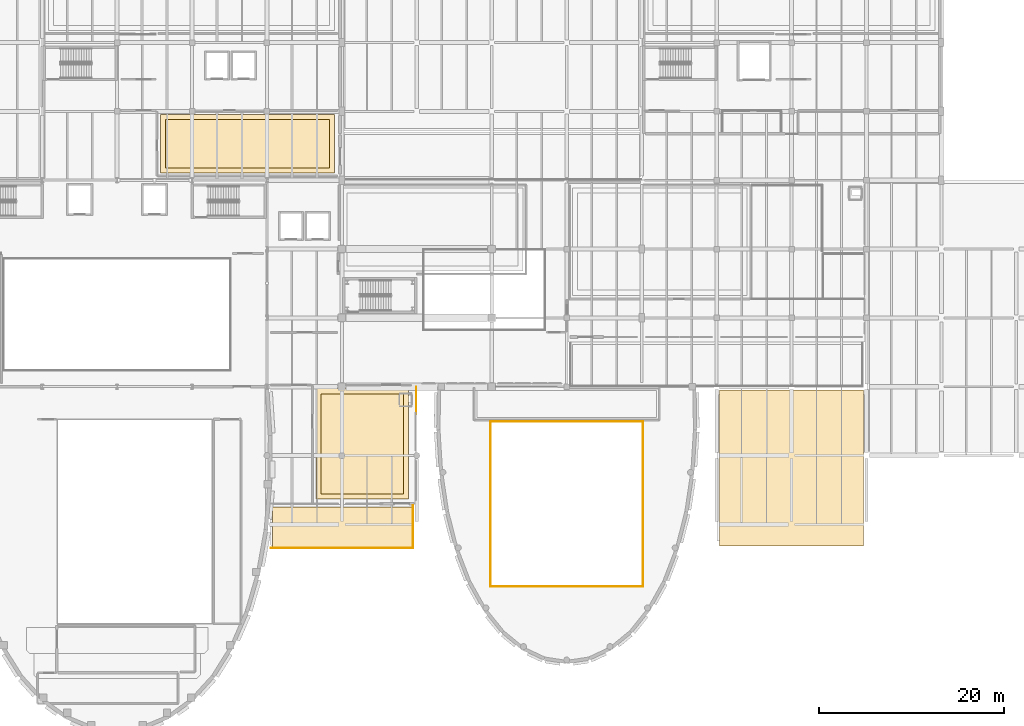
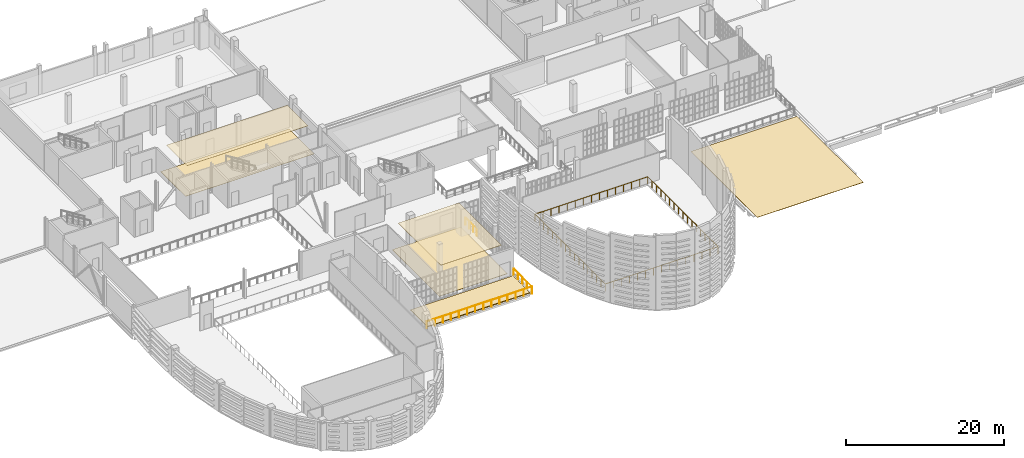
# One storey, part 67 of 73: 6 coverings, 5 railings.
"""IFC4 building model written with IfcOpenShell, lengths in metres."""

from ifc_helpers import new_model, si_unit, direction, frame, origin, origin_2d, place, context, subcontext, project, spatial, polyline, circle, outline, extrude, material, layer, layer_set, type_object, element, save


model = new_model("IFC4")

# Units and contexts
model_context = context("Model", 3, precision=1e-05, world=origin(), true_north=direction((0.0, 1.0)))
body_context = subcontext(model_context, "Body", "Model", "MODEL_VIEW")
ifc_project = project(units=[si_unit("LENGTHUNIT", "METRE"), si_unit("AREAUNIT", "SQUARE_METRE"), si_unit("VOLUMEUNIT", "CUBIC_METRE"), si_unit("PLANEANGLEUNIT", "RADIAN"), si_unit("MASSUNIT", "GRAM", prefix="KILO")], contexts=[model_context])

# Site, building, storey
site_placement = place(None, origin())
site = spatial("IfcSite", under=ifc_project, at=site_placement, CompositionType="ELEMENT")
building_placement = place(site_placement, origin())
building = spatial("IfcBuilding", under=site, at=building_placement, Name="Kaelora Sail Theatre", CompositionType="ELEMENT")
storey_placement = place(building_placement, frame((0.0, 0.0, 10.199951171875)))
storey = spatial("IfcBuildingStorey", under=building, at=storey_placement, Name="L02", CompositionType="ELEMENT", Elevation=10.199951171875)

# Coverings
ifc_material_1 = material(Name="Micro-perforated timber acoustic reflector", Category="wood")
ifc_layer_1 = layer(ifc_material_1, 0.050048828125)
ifc_layer_set_1 = layer_set([ifc_layer_1], Name="Micro-perforated timber acoustic reflector")
covering_type_1 = type_object("IfcCoveringType", Name="ARC-COV-CLG-AC-50", PredefinedType="CEILING", material=ifc_layer_set_1)
covering_1_placement = place(storey_placement, frame((0.0, 0.0, 4.255126953125)))
element("IfcCovering", 1, at=covering_1_placement, inside=storey, type_object=covering_type_1, Name="Acoustic ceiling L02-FOY-INTER1", PredefinedType="CEILING", context=body_context, shape_type="SweptSolid", body=[
    extrude(outline(polyline([(64.050048828125, 49.449951171875), (72.949951171875, 49.449951171875), (72.949951171875, 60.25), (64.050048828125, 60.25), (64.050048828125, 49.449951171875)])), origin(), (0.0, 0.0, 1.0), 0.0498046875),
])
covering_2_placement = place(storey_placement, frame((0.0, 0.0, 4.199951171875)))
element("IfcCovering", 2, at=covering_2_placement, inside=storey, type_object=covering_type_1, Name="Acoustic ceiling L02-DRAMA-S", PredefinedType="CEILING", context=body_context, shape_type="SweptSolid", body=[
    extrude(outline(polyline([(47.25, 84.64990234375), (64.949951171875, 84.64990234375), (64.949951171875, 89.89990234375), (47.25, 89.89990234375), (47.25, 84.64990234375)])), origin(), (0.0, 0.0, 1.0), 0.050048828125),
])
ifc_material_2 = material(Name="Sprung West African iroko stage and dance floor", Category="timber")
ifc_layer_2 = layer(ifc_material_2, 0.028076171875)
ifc_layer_set_2 = layer_set([ifc_layer_2], Name="Sprung West African iroko stage and dance floor")
covering_type_2 = type_object("IfcCoveringType", Name="ARC-COV-FLR-OAK-28", PredefinedType="FLOORING", material=ifc_layer_set_2)
covering_3_placement = place(storey_placement, origin())
element("IfcCovering", 3, at=covering_3_placement, inside=storey, type_object=covering_type_2, Name="Architectural flooring L02-DRAMA-S", PredefinedType="FLOORING", context=body_context, shape_type="SweptSolid", body=[
    extrude(outline(polyline([(46.699951171875, 84.10009765625), (65.5, 84.10009765625), (65.5, 90.449951171875), (46.699951171875, 90.449951171875), (46.699951171875, 84.10009765625)])), origin(), (0.0, 0.0, 1.0), 0.028076171875),
])
ifc_material_3 = material(Name="Polished basalt-terrazzo foyer flooring", Category="masonry")
ifc_layer_3 = layer(ifc_material_3, 0.031982421875)
ifc_layer_set_3 = layer_set([ifc_layer_3], Name="Polished basalt-terrazzo foyer flooring")
covering_type_3 = type_object("IfcCoveringType", Name="ARC-COV-FLR-TRZ-32", PredefinedType="FLOORING", material=ifc_layer_set_3)
covering_4_placement = place(storey_placement, origin())
element("IfcCovering", 4, at=covering_4_placement, inside=storey, type_object=covering_type_3, Name="Architectural flooring L02-FOY-INTER1", PredefinedType="FLOORING", context=body_context, shape_type="SweptSolid", body=[
    extrude(outline(polyline([(63.5, 48.89990234375), (73.5, 48.89990234375), (73.5, 60.800048828125), (63.5, 60.800048828125), (63.5, 48.89990234375)])), origin(), (0.0, 0.0, 1.0), 0.031982421875),
])
ifc_material_4 = material(Name="Planted roof garden and green foliage terrace bed", Category="earth")
ifc_layer_4 = layer(ifc_material_4, 0.1201171875)
ifc_layer_set_4 = layer_set([ifc_layer_4], Name="Planted roof garden and green foliage terrace bed")
covering_type_4 = type_object("IfcCoveringType", Name="ARC-COV-GRN", PredefinedType="ROOFING", material=ifc_layer_set_4)
covering_5_placement = place(storey_placement, origin())
element("IfcCovering", 5, at=covering_5_placement, inside=storey, type_object=covering_type_4, Name="Second Step Central Foyer Planted Podium Terrace Planted Garden Bed", PredefinedType="ROOFING", context=body_context, shape_type="SweptSolid", body=[
    extrude(outline(polyline([(58.800048828125, 43.75), (73.800048828125, 43.75), (73.800048828125, 48.030029296875), (58.800048828125, 48.030029296875), (58.800048828125, 43.75)])), origin(), (0.0, 0.0, 1.0), 0.1201171875),
])
ifc_material_5 = material(Name="Standing-seam titanium-zinc and TPO membrane", Category="metal")
ifc_layer_5 = layer(ifc_material_5, 0.044921875)
ifc_layer_set_5 = layer_set([ifc_layer_5], Name="Standing-seam titanium-zinc and TPO membrane")
covering_type_5 = type_object("IfcCoveringType", Name="ARC-COV-RFM", PredefinedType="ROOFING", material=ifc_layer_set_5)
covering_6_placement = place(storey_placement, origin())
element("IfcCovering", 6, at=covering_6_placement, inside=storey, type_object=covering_type_5, Name="Standing-seam titanium-zinc roofing FIE", PredefinedType="ROOFING", context=body_context, shape_type="SweptSolid", body=[
    extrude(outline(polyline([(107.1298828125, 43.820068359375), (122.669921875, 43.820068359375), (122.669921875, 60.64990234375), (107.1298828125, 60.64990234375), (107.1298828125, 43.820068359375)])), origin(), (0.0, 0.0, 1.0), 0.045166015625),
])

# Railings
ifc_material_6 = material(Name="Acoustic bronze and laminated glass balcony balustrade", Category="glass")
railing_type_1 = type_object("IfcRailingType", Name="ARC-RL-BAL", PredefinedType="BALUSTRADE", material=ifc_material_6)
railing_1_placement = place(storey_placement, frame((82.340087890625, 48.300048828125, 0.0)))
element("IfcRailing", 7, at=railing_1_placement, inside=storey, type_object=railing_type_1, Name="Interior void balustrade AUD-S2 south", PredefinedType="BALUSTRADE", context=body_context, shape_type="SweptSolid", body=[
    extrude(circle(Radius=0.02392578125, at=origin_2d()), frame((0.0, 0.0, 1.076171875), z_axis=(0.0, -1.0, 0.0), x_axis=(1.0, 0.0, 0.0)), (0.0, 0.0, 1.0), 8.860107421875),
    extrude(circle(Radius=0.02392578125, at=origin_2d()), frame((0.0, -8.860107421875, 1.076171875), z_axis=(1.0, 0.0, 0.0), x_axis=(0.0, 1.0, 0.0)), (0.0, 0.0, 1.0), 16.52001953125),
    extrude(circle(Radius=0.02392578125, at=origin_2d()), frame((16.52001953125, -8.860107421875, 1.076171875), z_axis=(0.0, 1.0, 0.0), x_axis=(-1.0, 0.0, 0.0)), (0.0, 0.0, 1.0), 8.860107421875),
    extrude(circle(Radius=0.02099609375, at=origin_2d()), origin(), (0.0, 0.0, 1.0), 1.052001953125),
    extrude(circle(Radius=0.02099609375, at=origin_2d()), frame((0.0, -1.107421875, 0.0)), (0.0, 0.0, 1.0), 1.052001953125),
    extrude(circle(Radius=0.02099609375, at=origin_2d()), frame((0.0, -2.215087890625, 0.0)), (0.0, 0.0, 1.0), 1.052001953125),
    extrude(circle(Radius=0.02099609375, at=origin_2d()), frame((0.0, -3.322509765625, 0.0)), (0.0, 0.0, 1.0), 1.052001953125),
    extrude(circle(Radius=0.02099609375, at=origin_2d()), frame((0.0, -4.43017578125, 0.0)), (0.0, 0.0, 1.0), 1.052001953125),
    extrude(circle(Radius=0.02099609375, at=origin_2d()), frame((0.0, -5.53759765625, 0.0)), (0.0, 0.0, 1.0), 1.052001953125),
    extrude(circle(Radius=0.02099609375, at=origin_2d()), frame((0.0, -6.64501953125, 0.0)), (0.0, 0.0, 1.0), 1.052001953125),
    extrude(circle(Radius=0.02099609375, at=origin_2d()), frame((0.0, -7.752685546875, 0.0)), (0.0, 0.0, 1.0), 1.052001953125),
    extrude(circle(Radius=0.02099609375, at=origin_2d()), frame((0.0, -8.860107421875, 0.0)), (0.0, 0.0, 1.0), 1.052001953125),
    extrude(circle(Radius=0.02099609375, at=origin_2d()), frame((1.179931640625, -8.860107421875, 0.0)), (0.0, 0.0, 1.0), 1.052001953125),
    extrude(circle(Radius=0.02099609375, at=origin_2d()), frame((2.360107421875, -8.860107421875, 0.0)), (0.0, 0.0, 1.0), 1.052001953125),
    extrude(circle(Radius=0.02099609375, at=origin_2d()), frame((3.5400390625, -8.860107421875, 0.0)), (0.0, 0.0, 1.0), 1.052001953125),
    extrude(circle(Radius=0.02099609375, at=origin_2d()), frame((4.719970703125, -8.860107421875, 0.0)), (0.0, 0.0, 1.0), 1.052001953125),
    extrude(circle(Radius=0.02099609375, at=origin_2d()), frame((5.89990234375, -8.860107421875, 0.0)), (0.0, 0.0, 1.0), 1.052001953125),
    extrude(circle(Radius=0.02099609375, at=origin_2d()), frame((7.080078125, -8.860107421875, 0.0)), (0.0, 0.0, 1.0), 1.052001953125),
    extrude(circle(Radius=0.02099609375, at=origin_2d()), frame((8.260009765625, -8.860107421875, 0.0)), (0.0, 0.0, 1.0), 1.052001953125),
    extrude(circle(Radius=0.02099609375, at=origin_2d()), frame((9.43994140625, -8.860107421875, 0.0)), (0.0, 0.0, 1.0), 1.052001953125),
    extrude(circle(Radius=0.02099609375, at=origin_2d()), frame((10.6201171875, -8.860107421875, 0.0)), (0.0, 0.0, 1.0), 1.052001953125),
    extrude(circle(Radius=0.02099609375, at=origin_2d()), frame((11.800048828125, -8.860107421875, 0.0)), (0.0, 0.0, 1.0), 1.052001953125),
    extrude(circle(Radius=0.02099609375, at=origin_2d()), frame((12.97998046875, -8.860107421875, 0.0)), (0.0, 0.0, 1.0), 1.052001953125),
    extrude(circle(Radius=0.02099609375, at=origin_2d()), frame((14.159912109375, -8.860107421875, 0.0)), (0.0, 0.0, 1.0), 1.052001953125),
    extrude(circle(Radius=0.02099609375, at=origin_2d()), frame((15.340087890625, -8.860107421875, 0.0)), (0.0, 0.0, 1.0), 1.052001953125),
    extrude(circle(Radius=0.02099609375, at=origin_2d()), frame((16.52001953125, -8.860107421875, 0.0)), (0.0, 0.0, 1.0), 1.052001953125),
    extrude(circle(Radius=0.02099609375, at=origin_2d()), frame((16.52001953125, -7.752685546875, 0.0)), (0.0, 0.0, 1.0), 1.052001953125),
    extrude(circle(Radius=0.02099609375, at=origin_2d()), frame((16.52001953125, -6.64501953125, 0.0)), (0.0, 0.0, 1.0), 1.052001953125),
    extrude(circle(Radius=0.02099609375, at=origin_2d()), frame((16.52001953125, -5.53759765625, 0.0)), (0.0, 0.0, 1.0), 1.052001953125),
    extrude(circle(Radius=0.02099609375, at=origin_2d()), frame((16.52001953125, -4.43017578125, 0.0)), (0.0, 0.0, 1.0), 1.052001953125),
    extrude(circle(Radius=0.02099609375, at=origin_2d()), frame((16.52001953125, -3.322509765625, 0.0)), (0.0, 0.0, 1.0), 1.052001953125),
    extrude(circle(Radius=0.02099609375, at=origin_2d()), frame((16.52001953125, -2.215087890625, 0.0)), (0.0, 0.0, 1.0), 1.052001953125),
    extrude(circle(Radius=0.02099609375, at=origin_2d()), frame((16.52001953125, -1.107421875, 0.0)), (0.0, 0.0, 1.0), 1.052001953125),
    extrude(circle(Radius=0.02099609375, at=origin_2d()), frame((16.52001953125, 0.0, 0.0)), (0.0, 0.0, 1.0), 1.052001953125),
])
railing_2_placement = place(storey_placement, frame((98.860107421875, 48.39990234375, 0.0)))
element("IfcRailing", 8, at=railing_2_placement, inside=storey, type_object=railing_type_1, Name="Interior void balustrade AUD-S2 north", PredefinedType="BALUSTRADE", context=body_context, shape_type="SweptSolid", body=[
    extrude(circle(Radius=0.02392578125, at=origin_2d()), frame((0.0, 0.0, 1.076171875), z_axis=(0.0, 1.0, 0.0), x_axis=(-1.0, 0.0, 0.0)), (0.0, 0.0, 1.0), 8.860107421875),
    extrude(circle(Radius=0.02392578125, at=origin_2d()), frame((0.0, 8.860107421875, 1.076171875), z_axis=(-1.0, 0.0, 0.0), x_axis=(0.0, -1.0, 0.0)), (0.0, 0.0, 1.0), 16.52001953125),
    extrude(circle(Radius=0.02392578125, at=origin_2d()), frame((-16.52001953125, 8.860107421875, 1.076171875), z_axis=(0.0, -1.0, 0.0), x_axis=(1.0, 0.0, 0.0)), (0.0, 0.0, 1.0), 8.860107421875),
    extrude(circle(Radius=0.02099609375, at=origin_2d()), origin(), (0.0, 0.0, 1.0), 1.052001953125),
    extrude(circle(Radius=0.02099609375, at=origin_2d()), frame((0.0, 1.107421875, 0.0)), (0.0, 0.0, 1.0), 1.052001953125),
    extrude(circle(Radius=0.02099609375, at=origin_2d()), frame((0.0, 2.215087890625, 0.0)), (0.0, 0.0, 1.0), 1.052001953125),
    extrude(circle(Radius=0.02099609375, at=origin_2d()), frame((0.0, 3.322509765625, 0.0)), (0.0, 0.0, 1.0), 1.052001953125),
    extrude(circle(Radius=0.02099609375, at=origin_2d()), frame((0.0, 4.43017578125, 0.0)), (0.0, 0.0, 1.0), 1.052001953125),
    extrude(circle(Radius=0.02099609375, at=origin_2d()), frame((0.0, 5.53759765625, 0.0)), (0.0, 0.0, 1.0), 1.052001953125),
    extrude(circle(Radius=0.02099609375, at=origin_2d()), frame((0.0, 6.64501953125, 0.0)), (0.0, 0.0, 1.0), 1.052001953125),
    extrude(circle(Radius=0.02099609375, at=origin_2d()), frame((0.0, 7.752685546875, 0.0)), (0.0, 0.0, 1.0), 1.052001953125),
    extrude(circle(Radius=0.02099609375, at=origin_2d()), frame((0.0, 8.860107421875, 0.0)), (0.0, 0.0, 1.0), 1.052001953125),
    extrude(circle(Radius=0.02099609375, at=origin_2d()), frame((-1.179931640625, 8.860107421875, 0.0)), (0.0, 0.0, 1.0), 1.052001953125),
    extrude(circle(Radius=0.02099609375, at=origin_2d()), frame((-2.360107421875, 8.860107421875, 0.0)), (0.0, 0.0, 1.0), 1.052001953125),
    extrude(circle(Radius=0.02099609375, at=origin_2d()), frame((-3.5400390625, 8.860107421875, 0.0)), (0.0, 0.0, 1.0), 1.052001953125),
    extrude(circle(Radius=0.02099609375, at=origin_2d()), frame((-4.719970703125, 8.860107421875, 0.0)), (0.0, 0.0, 1.0), 1.052001953125),
    extrude(circle(Radius=0.02099609375, at=origin_2d()), frame((-5.89990234375, 8.860107421875, 0.0)), (0.0, 0.0, 1.0), 1.052001953125),
    extrude(circle(Radius=0.02099609375, at=origin_2d()), frame((-7.080078125, 8.860107421875, 0.0)), (0.0, 0.0, 1.0), 1.052001953125),
    extrude(circle(Radius=0.02099609375, at=origin_2d()), frame((-8.260009765625, 8.860107421875, 0.0)), (0.0, 0.0, 1.0), 1.052001953125),
    extrude(circle(Radius=0.02099609375, at=origin_2d()), frame((-9.43994140625, 8.860107421875, 0.0)), (0.0, 0.0, 1.0), 1.052001953125),
    extrude(circle(Radius=0.02099609375, at=origin_2d()), frame((-10.6201171875, 8.860107421875, 0.0)), (0.0, 0.0, 1.0), 1.052001953125),
    extrude(circle(Radius=0.02099609375, at=origin_2d()), frame((-11.800048828125, 8.860107421875, 0.0)), (0.0, 0.0, 1.0), 1.052001953125),
    extrude(circle(Radius=0.02099609375, at=origin_2d()), frame((-12.97998046875, 8.860107421875, 0.0)), (0.0, 0.0, 1.0), 1.052001953125),
    extrude(circle(Radius=0.02099609375, at=origin_2d()), frame((-14.159912109375, 8.860107421875, 0.0)), (0.0, 0.0, 1.0), 1.052001953125),
    extrude(circle(Radius=0.02099609375, at=origin_2d()), frame((-15.340087890625, 8.860107421875, 0.0)), (0.0, 0.0, 1.0), 1.052001953125),
    extrude(circle(Radius=0.02099609375, at=origin_2d()), frame((-16.52001953125, 8.860107421875, 0.0)), (0.0, 0.0, 1.0), 1.052001953125),
    extrude(circle(Radius=0.02099609375, at=origin_2d()), frame((-16.52001953125, 7.752685546875, 0.0)), (0.0, 0.0, 1.0), 1.052001953125),
    extrude(circle(Radius=0.02099609375, at=origin_2d()), frame((-16.52001953125, 6.64501953125, 0.0)), (0.0, 0.0, 1.0), 1.052001953125),
    extrude(circle(Radius=0.02099609375, at=origin_2d()), frame((-16.52001953125, 5.53759765625, 0.0)), (0.0, 0.0, 1.0), 1.052001953125),
    extrude(circle(Radius=0.02099609375, at=origin_2d()), frame((-16.52001953125, 4.43017578125, 0.0)), (0.0, 0.0, 1.0), 1.052001953125),
    extrude(circle(Radius=0.02099609375, at=origin_2d()), frame((-16.52001953125, 3.322509765625, 0.0)), (0.0, 0.0, 1.0), 1.052001953125),
    extrude(circle(Radius=0.02099609375, at=origin_2d()), frame((-16.52001953125, 2.215087890625, 0.0)), (0.0, 0.0, 1.0), 1.052001953125),
    extrude(circle(Radius=0.02099609375, at=origin_2d()), frame((-16.52001953125, 1.107421875, 0.0)), (0.0, 0.0, 1.0), 1.052001953125),
    extrude(circle(Radius=0.02099609375, at=origin_2d()), frame((-16.52001953125, 0.0, 0.0)), (0.0, 0.0, 1.0), 1.052001953125),
])
ifc_material_7 = material(Name="Painted steel and laminated safety glass guard", Category="steel")
railing_type_2 = type_object("IfcRailingType", Name="ARC-RL-GRD", PredefinedType="GUARDRAIL", material=ifc_material_7)
railing_3_placement = place(storey_placement, frame((74.3349609375, 58.050048828125, 0.0)))
element("IfcRailing", 9, at=railing_3_placement, inside=storey, type_object=railing_type_2, Name="Interior deck-edge closure guard GRD-DECK-FI2-NE", PredefinedType="GUARDRAIL", context=body_context, shape_type="SweptSolid", body=[
    extrude(circle(Radius=0.02392578125, at=origin_2d()), frame((0.0, 0.0, 1.076171875), z_axis=(0.0, 1.0, 0.0), x_axis=(-1.0, 0.0, 0.0)), (0.0, 0.0, 1.0), 2.929931640625),
    extrude(circle(Radius=0.02099609375, at=origin_2d()), origin(), (0.0, 0.0, 1.0), 1.052001953125),
    extrude(circle(Radius=0.02099609375, at=origin_2d()), frame((0.0, 0.9765625, 0.0)), (0.0, 0.0, 1.0), 1.052001953125),
    extrude(circle(Radius=0.02099609375, at=origin_2d()), frame((0.0, 1.953369140625, 0.0)), (0.0, 0.0, 1.0), 1.052001953125),
    extrude(circle(Radius=0.02099609375, at=origin_2d()), frame((0.0, 2.929931640625, 0.0)), (0.0, 0.0, 1.0), 1.052001953125),
])
ifc_material_8 = material(Name="Stainless steel 316L and laminated glass balustrade", Category="steel")
railing_type_3 = type_object("IfcRailingType", Name="ARC-RL-TER", PredefinedType="GUARDRAIL", material=ifc_material_8)
railing_4_placement = place(storey_placement, frame((58.610107421875, 43.580078125, 0.0)))
element("IfcRailing", 10, at=railing_4_placement, inside=storey, type_object=railing_type_3, Name="Second Step Central Foyer Planted Podium Terrace Balustrade S", PredefinedType="GUARDRAIL", context=body_context, shape_type="SweptSolid", body=[
    extrude(circle(Radius=0.02392578125, at=origin_2d()), frame((0.0, 0.0, 1.076171875), z_axis=(1.0, 0.0, 0.0), x_axis=(0.0, 1.0, 0.0)), (0.0, 0.0, 1.0), 15.3798828125),
    extrude(circle(Radius=0.02099609375, at=origin_2d()), origin(), (0.0, 0.0, 1.0), 1.052001953125),
    extrude(circle(Radius=0.02099609375, at=origin_2d()), frame((1.18310546875, 0.0, 0.0)), (0.0, 0.0, 1.0), 1.052001953125),
    extrude(circle(Radius=0.02099609375, at=origin_2d()), frame((2.3662109375, 0.0, 0.0)), (0.0, 0.0, 1.0), 1.052001953125),
    extrude(circle(Radius=0.02099609375, at=origin_2d()), frame((3.54931640625, 0.0, 0.0)), (0.0, 0.0, 1.0), 1.052001953125),
    extrude(circle(Radius=0.02099609375, at=origin_2d()), frame((4.732177734375, 0.0, 0.0)), (0.0, 0.0, 1.0), 1.052001953125),
    extrude(circle(Radius=0.02099609375, at=origin_2d()), frame((5.915283203125, 0.0, 0.0)), (0.0, 0.0, 1.0), 1.052001953125),
    extrude(circle(Radius=0.02099609375, at=origin_2d()), frame((7.098388671875, 0.0, 0.0)), (0.0, 0.0, 1.0), 1.052001953125),
    extrude(circle(Radius=0.02099609375, at=origin_2d()), frame((8.281494140625, 0.0, 0.0)), (0.0, 0.0, 1.0), 1.052001953125),
    extrude(circle(Radius=0.02099609375, at=origin_2d()), frame((9.464599609375, 0.0, 0.0)), (0.0, 0.0, 1.0), 1.052001953125),
    extrude(circle(Radius=0.02099609375, at=origin_2d()), frame((10.647705078125, 0.0, 0.0)), (0.0, 0.0, 1.0), 1.052001953125),
    extrude(circle(Radius=0.02099609375, at=origin_2d()), frame((11.83056640625, 0.0, 0.0)), (0.0, 0.0, 1.0), 1.052001953125),
    extrude(circle(Radius=0.02099609375, at=origin_2d()), frame((13.013671875, 0.0, 0.0)), (0.0, 0.0, 1.0), 1.052001953125),
    extrude(circle(Radius=0.02099609375, at=origin_2d()), frame((14.19677734375, 0.0, 0.0)), (0.0, 0.0, 1.0), 1.052001953125),
    extrude(circle(Radius=0.02099609375, at=origin_2d()), frame((15.3798828125, 0.0, 0.0)), (0.0, 0.0, 1.0), 1.052001953125),
])
railing_5_placement = place(storey_placement, frame((73.969970703125, 43.580078125, 0.0)))
element("IfcRailing", 11, at=railing_5_placement, inside=storey, type_object=railing_type_3, Name="Second Step Central Foyer Planted Podium Terrace Balustrade E", PredefinedType="GUARDRAIL", context=body_context, shape_type="SweptSolid", body=[
    extrude(circle(Radius=0.02392578125, at=origin_2d()), frame((0.0, 0.0, 1.076171875), z_axis=(0.0, 1.0, 0.0), x_axis=(-1.0, 0.0, 0.0)), (0.0, 0.0, 1.0), 4.619873046875),
    extrude(circle(Radius=0.02099609375, at=origin_2d()), origin(), (0.0, 0.0, 1.0), 1.052001953125),
    extrude(circle(Radius=0.02099609375, at=origin_2d()), frame((0.0, 1.155029296875, 0.0)), (0.0, 0.0, 1.0), 1.052001953125),
    extrude(circle(Radius=0.02099609375, at=origin_2d()), frame((0.0, 2.31005859375, 0.0)), (0.0, 0.0, 1.0), 1.052001953125),
    extrude(circle(Radius=0.02099609375, at=origin_2d()), frame((0.0, 3.46484375, 0.0)), (0.0, 0.0, 1.0), 1.052001953125),
    extrude(circle(Radius=0.02099609375, at=origin_2d()), frame((0.0, 4.619873046875, 0.0)), (0.0, 0.0, 1.0), 1.052001953125),
])

save(model, "model.ifc")
